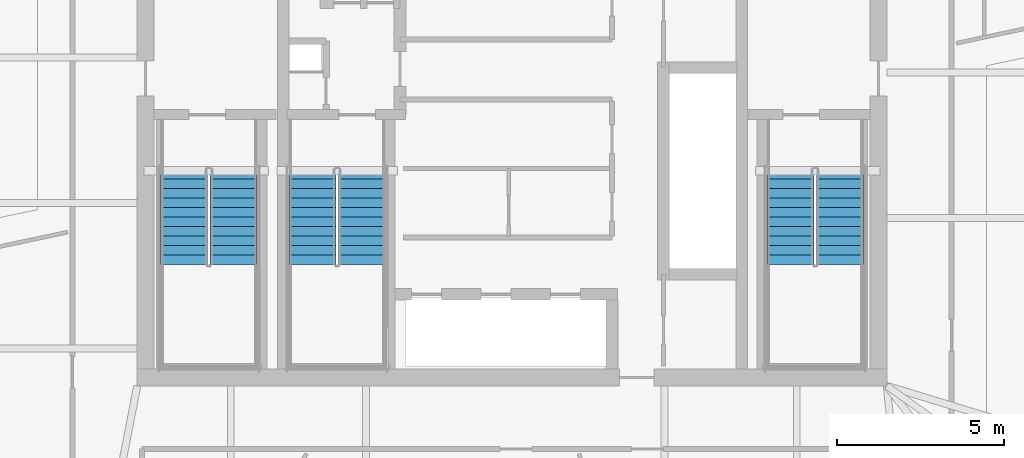
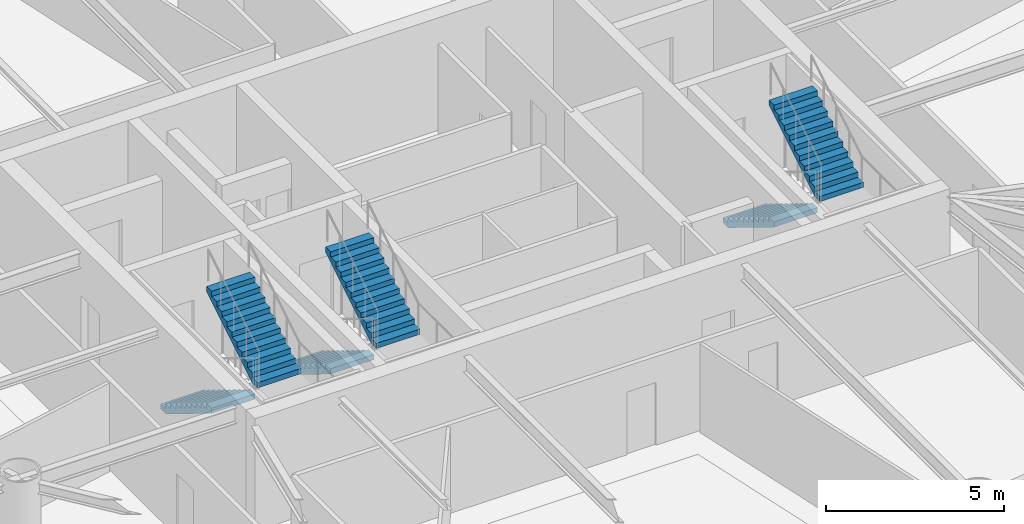
# One storey, part 15 of 19: 6 stair flights, 3 elements without a shape of their own.
"""IFC4 building model written with IfcOpenShell, lengths in metres."""

from ifc_helpers import new_model, si_unit, direction, frame, origin, place, context, subcontext, project, spatial, polyline, outline, extrude, material, type_object, element, aggregate, save


model = new_model("IFC4")

# Units and contexts
model_context = context("Model", 3, precision=1e-05, world=origin(), true_north=direction((0.0, 1.0)))
body_context = subcontext(model_context, "Body", "Model", "MODEL_VIEW")
ifc_project = project(units=[si_unit("LENGTHUNIT", "METRE"), si_unit("AREAUNIT", "SQUARE_METRE"), si_unit("VOLUMEUNIT", "CUBIC_METRE"), si_unit("PLANEANGLEUNIT", "RADIAN"), si_unit("MASSUNIT", "GRAM", prefix="KILO")], contexts=[model_context])

# Site, building, storey
site_placement = place(None, origin())
site = spatial("IfcSite", under=ifc_project, at=site_placement, CompositionType="ELEMENT")
building_placement = place(site_placement, origin())
building = spatial("IfcBuilding", under=site, at=building_placement, Name="Bramvorn Convention Spire", CompositionType="ELEMENT")
storey_placement = place(building_placement, frame((0.0, 0.0, 217.39990234375)))
storey = spatial("IfcBuildingStorey", under=building, at=storey_placement, Name="L55", CompositionType="ELEMENT", Elevation=217.39990234375)

# Stair, stair flights
ifc_material_1 = material(Name="Concrete C40/50 Precast Stair", Category="concrete")
stair_type = type_object("IfcStairType", Name="ST-TOWER-1550", PredefinedType="HALF_TURN_STAIR", material=ifc_material_1)
stair_1_placement = place(storey_placement, origin())
stair_1 = element("IfcStair", 1, at=stair_1_placement, inside=storey, type_object=stair_type, Name="L55 Protected Exit Stair ST1", PredefinedType="HALF_TURN_STAIR")
ifc_material_2 = material(Name="Concrete C40/50 Precast Stair Flight", Category="concrete")
stair_flight_type = type_object("IfcStairFlightType", Name="STF-TOWER-1550", PredefinedType="STRAIGHT", material=ifc_material_2)
stair_flight_1_placement = place(storey_placement, frame((28.155029296875, 25.050048828125, 0.0), z_axis=(0.0, 0.0, 1.0), x_axis=(0.0, -1.0, 0.0)))
stair_flight_1 = element("IfcStairFlight", 2, at=stair_flight_1_placement, type_object=stair_flight_type, Name="ST1 flight 1", NumberOfRisers=11, NumberOfTreads=10, PredefinedType="STRAIGHT", RiserHeight=0.175, TreadLength=0.285, context=body_context, shape_type="SweptSolid", body=[
    extrude(outline(polyline([(0.0, 0.0), (0.0, 0.175048828125), (0.284912109375, 0.175048828125), (0.284912109375, 0.35009765625), (0.570068359375, 0.35009765625), (0.570068359375, 0.52490234375), (0.85498046875, 0.52490234375), (0.85498046875, 0.699951171875), (1.139892578125, 0.699951171875), (1.139892578125, 0.875), (1.425048828125, 0.875), (1.425048828125, 1.050048828125), (1.7099609375, 1.050048828125), (1.7099609375, 1.22509765625), (1.9951171875, 1.22509765625), (1.9951171875, 1.39990234375), (2.280029296875, 1.39990234375), (2.280029296875, 1.574951171875), (2.56494140625, 1.574951171875), (2.56494140625, 1.75), (2.85009765625, 1.75), (2.85009765625, 1.925048828125), (2.85009765625, 1.573974609375), (0.286376953125, 0.0), (0.0, 0.0)])), frame((0.0, 0.705078125, 0.0), z_axis=(0.0, -1.0, 0.0), x_axis=(1.0, 0.0, 0.0)), (0.0, 0.0, 1.0), 1.409912109375),
])
stair_flight_2_placement = place(storey_placement, frame((29.64501953125, 22.199951171875, 1.925048828125), z_axis=(0.0, 0.0, 1.0), x_axis=(0.0, 1.0, 0.0)))
stair_flight_2 = element("IfcStairFlight", 3, at=stair_flight_2_placement, type_object=stair_flight_type, Name="ST1 flight 2", NumberOfRisers=11, NumberOfTreads=10, PredefinedType="STRAIGHT", RiserHeight=0.175, TreadLength=0.285, context=body_context, shape_type="SweptSolid", body=[
    extrude(outline(polyline([(0.0, 0.0), (0.0, 0.175048828125), (0.284912109375, 0.175048828125), (0.284912109375, 0.35009765625), (0.570068359375, 0.35009765625), (0.570068359375, 0.52490234375), (0.85498046875, 0.52490234375), (0.85498046875, 0.699951171875), (1.139892578125, 0.699951171875), (1.139892578125, 0.875), (1.425048828125, 0.875), (1.425048828125, 1.050048828125), (1.7099609375, 1.050048828125), (1.7099609375, 1.22509765625), (1.9951171875, 1.22509765625), (1.9951171875, 1.39990234375), (2.280029296875, 1.39990234375), (2.280029296875, 1.574951171875), (2.56494140625, 1.574951171875), (2.56494140625, 1.75), (2.85009765625, 1.75), (2.85009765625, 1.925048828125), (2.85009765625, 1.573974609375), (0.286376953125, 0.0), (0.0, 0.0)])), frame((0.0, 0.705078125, 0.0), z_axis=(0.0, -1.0, 0.0), x_axis=(1.0, 0.0, 0.0)), (0.0, 0.0, 1.0), 1.409912109375),
])
aggregate(stair_1, [stair_flight_1, stair_flight_2])

stair_2_placement = place(storey_placement, origin())
stair_2 = element("IfcStair", 4, at=stair_2_placement, inside=storey, type_object=stair_type, Name="L55 Protected Exit Stair ST2", PredefinedType="HALF_TURN_STAIR")
stair_flight_3_placement = place(storey_placement, frame((46.35498046875, 25.050048828125, 0.0), z_axis=(0.0, 0.0, 1.0), x_axis=(0.0, -1.0, 0.0)))
stair_flight_3 = element("IfcStairFlight", 5, at=stair_flight_3_placement, type_object=stair_flight_type, Name="ST2 flight 1", NumberOfRisers=11, NumberOfTreads=10, PredefinedType="STRAIGHT", RiserHeight=0.175, TreadLength=0.285, context=body_context, shape_type="SweptSolid", body=[
    extrude(outline(polyline([(0.0, 0.0), (0.0, 0.175048828125), (0.284912109375, 0.175048828125), (0.284912109375, 0.35009765625), (0.570068359375, 0.35009765625), (0.570068359375, 0.52490234375), (0.85498046875, 0.52490234375), (0.85498046875, 0.699951171875), (1.139892578125, 0.699951171875), (1.139892578125, 0.875), (1.425048828125, 0.875), (1.425048828125, 1.050048828125), (1.7099609375, 1.050048828125), (1.7099609375, 1.22509765625), (1.9951171875, 1.22509765625), (1.9951171875, 1.39990234375), (2.280029296875, 1.39990234375), (2.280029296875, 1.574951171875), (2.56494140625, 1.574951171875), (2.56494140625, 1.75), (2.85009765625, 1.75), (2.85009765625, 1.925048828125), (2.85009765625, 1.573974609375), (0.286376953125, 0.0), (0.0, 0.0)])), frame((0.0, 0.705078125, 0.0), z_axis=(0.0, -1.0, 0.0), x_axis=(1.0, 0.0, 0.0)), (0.0, 0.0, 1.0), 1.409912109375),
])
stair_flight_4_placement = place(storey_placement, frame((47.844970703125, 22.199951171875, 1.925048828125), z_axis=(0.0, 0.0, 1.0), x_axis=(0.0, 1.0, 0.0)))
stair_flight_4 = element("IfcStairFlight", 6, at=stair_flight_4_placement, type_object=stair_flight_type, Name="ST2 flight 2", NumberOfRisers=11, NumberOfTreads=10, PredefinedType="STRAIGHT", RiserHeight=0.175, TreadLength=0.285, context=body_context, shape_type="SweptSolid", body=[
    extrude(outline(polyline([(0.0, 0.0), (0.0, 0.175048828125), (0.284912109375, 0.175048828125), (0.284912109375, 0.35009765625), (0.570068359375, 0.35009765625), (0.570068359375, 0.52490234375), (0.85498046875, 0.52490234375), (0.85498046875, 0.699951171875), (1.139892578125, 0.699951171875), (1.139892578125, 0.875), (1.425048828125, 0.875), (1.425048828125, 1.050048828125), (1.7099609375, 1.050048828125), (1.7099609375, 1.22509765625), (1.9951171875, 1.22509765625), (1.9951171875, 1.39990234375), (2.280029296875, 1.39990234375), (2.280029296875, 1.574951171875), (2.56494140625, 1.574951171875), (2.56494140625, 1.75), (2.85009765625, 1.75), (2.85009765625, 1.925048828125), (2.85009765625, 1.573974609375), (0.286376953125, 0.0), (0.0, 0.0)])), frame((0.0, 0.705078125, 0.0), z_axis=(0.0, -1.0, 0.0), x_axis=(1.0, 0.0, 0.0)), (0.0, 0.0, 1.0), 1.409912109375),
])
aggregate(stair_2, [stair_flight_3, stair_flight_4])

stair_3_placement = place(storey_placement, origin())
stair_3 = element("IfcStair", 7, at=stair_3_placement, inside=storey, type_object=stair_type, Name="L55 Protected Exit Stair ST3", PredefinedType="HALF_TURN_STAIR")
stair_flight_5_placement = place(storey_placement, frame((32.0048828125, 25.050048828125, 0.0), z_axis=(0.0, 0.0, 1.0), x_axis=(0.0, -1.0, 0.0)))
stair_flight_5 = element("IfcStairFlight", 8, at=stair_flight_5_placement, type_object=stair_flight_type, Name="ST3 flight 1", NumberOfRisers=11, NumberOfTreads=10, PredefinedType="STRAIGHT", RiserHeight=0.175, TreadLength=0.285, context=body_context, shape_type="SweptSolid", body=[
    extrude(outline(polyline([(0.0, 0.0), (0.0, 0.175048828125), (0.284912109375, 0.175048828125), (0.284912109375, 0.35009765625), (0.570068359375, 0.35009765625), (0.570068359375, 0.52490234375), (0.85498046875, 0.52490234375), (0.85498046875, 0.699951171875), (1.139892578125, 0.699951171875), (1.139892578125, 0.875), (1.425048828125, 0.875), (1.425048828125, 1.050048828125), (1.7099609375, 1.050048828125), (1.7099609375, 1.22509765625), (1.9951171875, 1.22509765625), (1.9951171875, 1.39990234375), (2.280029296875, 1.39990234375), (2.280029296875, 1.574951171875), (2.56494140625, 1.574951171875), (2.56494140625, 1.75), (2.85009765625, 1.75), (2.85009765625, 1.925048828125), (2.85009765625, 1.573974609375), (0.286376953125, 0.0), (0.0, 0.0)])), frame((0.0, 0.705078125, 0.0), z_axis=(0.0, -1.0, 0.0), x_axis=(1.0, 0.0, 0.0)), (0.0, 0.0, 1.0), 1.409912109375),
])
stair_flight_6_placement = place(storey_placement, frame((33.4951171875, 22.199951171875, 1.925048828125), z_axis=(0.0, 0.0, 1.0), x_axis=(0.0, 1.0, 0.0)))
stair_flight_6 = element("IfcStairFlight", 9, at=stair_flight_6_placement, type_object=stair_flight_type, Name="ST3 flight 2", NumberOfRisers=11, NumberOfTreads=10, PredefinedType="STRAIGHT", RiserHeight=0.175, TreadLength=0.285, context=body_context, shape_type="SweptSolid", body=[
    extrude(outline(polyline([(0.0, 0.0), (0.0, 0.175048828125), (0.284912109375, 0.175048828125), (0.284912109375, 0.35009765625), (0.570068359375, 0.35009765625), (0.570068359375, 0.52490234375), (0.85498046875, 0.52490234375), (0.85498046875, 0.699951171875), (1.139892578125, 0.699951171875), (1.139892578125, 0.875), (1.425048828125, 0.875), (1.425048828125, 1.050048828125), (1.7099609375, 1.050048828125), (1.7099609375, 1.22509765625), (1.9951171875, 1.22509765625), (1.9951171875, 1.39990234375), (2.280029296875, 1.39990234375), (2.280029296875, 1.574951171875), (2.56494140625, 1.574951171875), (2.56494140625, 1.75), (2.85009765625, 1.75), (2.85009765625, 1.925048828125), (2.85009765625, 1.573974609375), (0.286376953125, 0.0), (0.0, 0.0)])), frame((0.0, 0.705078125, 0.0), z_axis=(0.0, -1.0, 0.0), x_axis=(1.0, 0.0, 0.0)), (0.0, 0.0, 1.0), 1.409912109375),
])
aggregate(stair_3, [stair_flight_5, stair_flight_6])

save(model, "model.ifc")
